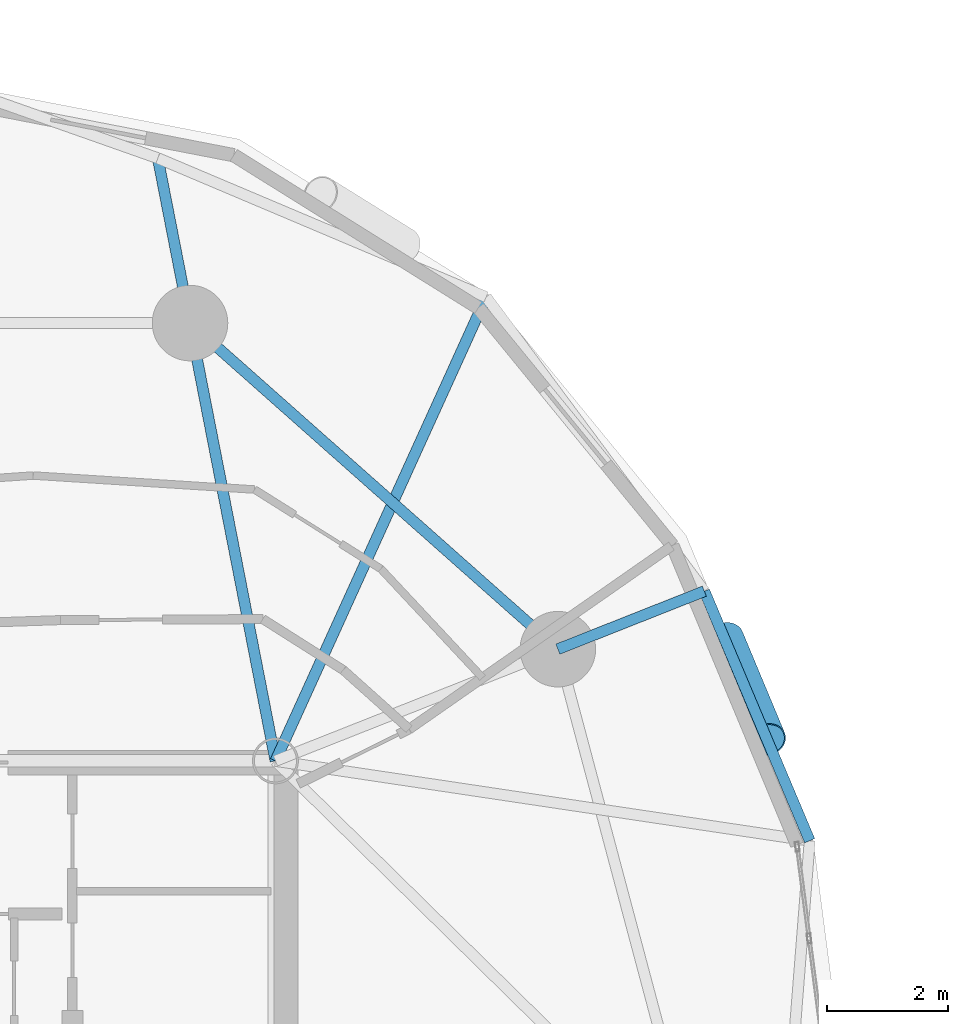
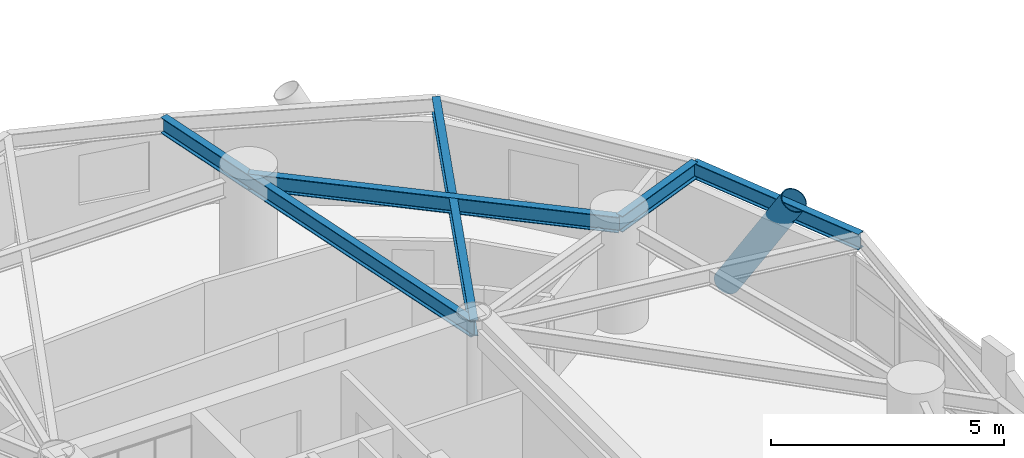
# One storey, part 3 of 17: 5 beams, 1 member.
"""IFC4 building model written with IfcOpenShell, lengths in metres."""

import ifcopenshell
import ifcopenshell.guid

model = None  # the IFC model being written
_history = None  # IfcOwnerHistory: only IFC2X3 demands one
_inside = {}  # id of a spatial element -> (the spatial element, [elements in it])
_under = {}  # id of a project, library or spatial element -> (it, [spatial elements below it])
_declared = {}  # id of a project -> (the project, [libraries it declares])
_typed = {}  # id of a type object -> (the type object, [elements of that type])
_made_of = {}  # id of a material, layer set ... -> (it, [elements and type objects made of it])


def new_model(schema):
    """Start an empty IFC model of exactly this schema.

    Asked for "IFC4X3", IfcOpenShell would pick the latest addendum, in which some entities
    have other attributes; the version numbers below select the first issue.
    IFC2X3 requires an IfcOwnerHistory on every rooted entity: one is made here for all.
    """
    global model, _history
    if schema == "IFC4X3":
        model = ifcopenshell.file(schema_version=(4, 3, 0, 0))
    else:
        model = ifcopenshell.file(schema=schema)
    _inside.clear()
    _under.clear()
    _declared.clear()
    _typed.clear()
    _made_of.clear()
    _history = None
    if model.schema == "IFC2X3":
        org = make("IfcOrganization", Name="unknown")
        user = make(
            "IfcPersonAndOrganization",
            ThePerson=make("IfcPerson", FamilyName="unknown"),
            TheOrganization=org,
        )
        app = make(
            "IfcApplication",
            ApplicationDeveloper=org,
            Version="unknown",
            ApplicationFullName="unknown",
            ApplicationIdentifier="unknown",
        )
        _history = make(
            "IfcOwnerHistory",
            OwningUser=user,
            OwningApplication=app,
            ChangeAction="ADDED",
            CreationDate=0,
        )
    return model


def make(cls, **values):
    """One entity of the class cls with the attributes given. An attribute that is None is left unset."""
    return model.create_entity(
        cls, **{name: value for name, value in values.items() if value is not None}
    )


def rooted(cls, **values):
    """An entity with a GlobalId (a new one), such as an element, a storey or a relation."""
    return make(cls, GlobalId=ifcopenshell.guid.new(), OwnerHistory=_history, **values)


def si_unit(unit_type, name, prefix=None):
    """IfcSIUnit, for example si_unit("LENGTHUNIT", "METRE", prefix="MILLI")."""
    return make("IfcSIUnit", UnitType=unit_type, Prefix=prefix, Name=name)


def assignment(units):
    """IfcUnitAssignment: the units of a project."""
    return None if units is None else make("IfcUnitAssignment", Units=units)


def point(xyz):
    """IfcCartesianPoint."""
    return None if xyz is None else make("IfcCartesianPoint", Coordinates=xyz)


def direction(xyz):
    """IfcDirection."""
    return None if xyz is None else make("IfcDirection", DirectionRatios=xyz)


def frame(location, z_axis=None, x_axis=None):
    """IfcAxis2Placement3D, a coordinate frame: its origin and axes. An axis left out is left unset."""
    return make(
        "IfcAxis2Placement3D",
        Location=point(location),
        Axis=direction(z_axis),
        RefDirection=direction(x_axis),
    )


def frame_2d(location, x_axis=None):
    """IfcAxis2Placement2D, a coordinate frame in the plane: its origin and x axis."""
    return make(
        "IfcAxis2Placement2D", Location=point(location), RefDirection=direction(x_axis)
    )


def origin():
    """The frame at (0, 0, 0) with its axes left unset."""
    return frame((0.0, 0.0, 0.0))


def origin_2d():
    """The frame at (0, 0) in the plane with its x axis left unset."""
    return frame_2d((0.0, 0.0))


def place(relative_to, where):
    """IfcLocalPlacement: puts the frame where relative to a parent placement (None: the world)."""
    return make(
        "IfcLocalPlacement", PlacementRelTo=relative_to, RelativePlacement=where
    )


def context(
    kind, dimensions, precision=None, world=None, true_north=None, identifier=None
):
    """IfcGeometricRepresentationContext, for example the 3D "Model" context."""
    return make(
        "IfcGeometricRepresentationContext",
        ContextIdentifier=identifier,
        ContextType=kind,
        CoordinateSpaceDimension=dimensions,
        Precision=precision,
        WorldCoordinateSystem=world,
        TrueNorth=true_north,
    )


def subcontext(parent, identifier, kind, view, scale=None):
    """IfcGeometricRepresentationSubContext, for example "Body" below "Model"."""
    return make(
        "IfcGeometricRepresentationSubContext",
        ContextIdentifier=identifier,
        ContextType=kind,
        ParentContext=parent,
        TargetScale=scale,
        TargetView=view,
    )


def project(units=None, contexts=None):
    """IfcProject with its units and contexts."""
    return rooted(
        "IfcProject",
        Name="project",
        RepresentationContexts=contexts,
        UnitsInContext=assignment(units),
    )


def spatial(cls, under=None, at=None, **own):
    """A site, building, storey or space (cls), placed at a placement, below another one or the project."""
    s = rooted(cls, ObjectPlacement=at, **own)
    if under is not None:
        _under.setdefault(under.id(), (under, []))[1].append(s)
    return s


def profile(cls, at=None, kind="AREA", **sizes):
    """A parametric profile (cls). Its sizes go by their IFC names, for example OverallWidth=200.0."""
    return make(cls, ProfileType=kind, Position=at, **sizes)


def hollow_circle(**sizes):
    """IfcCircleHollowProfileDef."""
    return profile("IfcCircleHollowProfileDef", **sizes)


def i_section(**sizes):
    """IfcIShapeProfileDef."""
    return profile("IfcIShapeProfileDef", **sizes)


def extrude(swept, where, along, depth):
    """IfcExtrudedAreaSolid: the profile swept, set in the frame where, extruded along a direction by depth."""
    return make(
        "IfcExtrudedAreaSolid",
        SweptArea=swept,
        Position=where,
        ExtrudedDirection=direction(along),
        Depth=depth,
    )


def shape(context_of_items, identifier, shape_type, items):
    """IfcShapeRepresentation: the items that make up one representation, for example the "Body"."""
    return make(
        "IfcShapeRepresentation",
        ContextOfItems=context_of_items,
        RepresentationIdentifier=identifier,
        RepresentationType=shape_type,
        Items=items,
    )


def material(Name=None, Category=None):
    """IfcMaterial."""
    return make("IfcMaterial", Name=Name, Category=Category)


def material_profile(
    of_material, cross_section, Name=None, Category=None, Priority=None
):
    """IfcMaterialProfile: a cross section and its material."""
    return make(
        "IfcMaterialProfile",
        Name=Name,
        Material=of_material,
        Profile=cross_section,
        Priority=Priority,
        Category=Category,
    )


def profile_set(profiles, Name=None, composite=None):
    """IfcMaterialProfileSet."""
    return make(
        "IfcMaterialProfileSet",
        Name=Name,
        MaterialProfiles=profiles,
        CompositeProfile=composite,
    )


def made_of(thing, what):
    """Note that an element or type object is made of a material, layer set ...; save() writes the relation."""
    if what is not None:
        _made_of.setdefault(what.id(), (what, []))[1].append(thing)
    return thing


def type_object(cls, material=None, **own):
    """A type object (cls), such as IfcWallType, which elements share."""
    return made_of(rooted(cls, **own), material)


def element(
    cls,
    number,
    at=None,
    inside=None,
    cuts=None,
    type_object=None,
    material=None,
    context=None,
    identifier="Body",
    shape_type=None,
    held_by="IfcProductDefinitionShape",
    body=None,
    shapes=None,
    **own,
):
    """One element of the class cls, such as IfcWall. Its Tag is "e" and its number.

    at: its placement. inside: the storey or other place that contains it. cuts: it is an
    opening in that element (IfcRelVoidsElement). A single representation is given by context,
    identifier, shape_type and body (its items); several are given by shapes. held_by: the class
    of the entity that holds the representations. save() writes the other relations.
    """
    e = rooted(cls, Tag="e%d" % number, ObjectPlacement=at, **own)
    if body is not None:
        shapes = [shape(context, identifier, shape_type, body)]
    if shapes is not None:
        e.Representation = make(held_by, Representations=shapes)
    if inside is not None:
        _inside.setdefault(inside.id(), (inside, []))[1].append(e)
    if cuts is not None:
        rooted(
            "IfcRelVoidsElement", RelatingBuildingElement=cuts, RelatedOpeningElement=e
        )
    if type_object is not None:
        _typed.setdefault(type_object.id(), (type_object, []))[1].append(e)
    return made_of(e, material)


def aggregate(whole, parts):
    """IfcRelAggregates: a whole, such as a stair, and the parts it consists of."""
    return rooted("IfcRelAggregates", RelatingObject=whole, RelatedObjects=parts)


def save(model, path):
    """Write the relations noted so far, then the file.

    IfcRelAggregates (storeys below a building ...), IfcRelContainedInSpatialStructure (elements
    in a storey), IfcRelDefinesByType, IfcRelAssociatesMaterial and IfcRelDeclares: one each for
    every whole, place, type object, material and project.
    """
    for whole, parts in _under.values():
        aggregate(whole, parts)
    for where, things in _inside.values():
        rooted(
            "IfcRelContainedInSpatialStructure",
            RelatedElements=things,
            RelatingStructure=where,
        )
    for kind, things in _typed.values():
        rooted("IfcRelDefinesByType", RelatedObjects=things, RelatingType=kind)
    for what, things in _made_of.values():
        rooted("IfcRelAssociatesMaterial", RelatedObjects=things, RelatingMaterial=what)
    for by, libraries in _declared.values():
        rooted("IfcRelDeclares", RelatingContext=by, RelatedDefinitions=libraries)
    model.write(path)


model = new_model("IFC4")

# Units and contexts
model_context = context("Model", 3, precision=1e-05, world=origin(), true_north=direction((0.0, 1.0)))
body_context = subcontext(model_context, "Body", "Model", "MODEL_VIEW")
ifc_project = project(units=[si_unit("LENGTHUNIT", "METRE"), si_unit("AREAUNIT", "SQUARE_METRE"), si_unit("VOLUMEUNIT", "CUBIC_METRE"), si_unit("PLANEANGLEUNIT", "RADIAN"), si_unit("MASSUNIT", "GRAM", prefix="KILO")], contexts=[model_context])

# Site, building, storey
site_placement = place(None, origin())
site = spatial("IfcSite", under=ifc_project, at=site_placement, CompositionType="ELEMENT")
building_placement = place(site_placement, origin())
building = spatial("IfcBuilding", under=site, at=building_placement, Name="Cununo Teusaquillo Station Towers", CompositionType="ELEMENT")
storey_placement = place(building_placement, frame((0.0, 0.0, 163.239990234375)))
storey = spatial("IfcBuildingStorey", under=building, at=storey_placement, Name="L51", CompositionType="ELEMENT", Elevation=163.239990234375)

# Beams
ifc_material_1 = material(Name="Steel ASTM A572 Grade 50", Category="steel")
ifc_material_profile_1 = material_profile(ifc_material_1, i_section(OverallWidth=0.180908203125, OverallDepth=0.4169921875, WebThickness=0.010986328125, FlangeThickness=0.018310546875, FilletRadius=0.012939453125, at=origin_2d()), Name="W16X57")
ifc_profile_set_1 = profile_set([ifc_material_profile_1], Name="Steel ASTM A572 Grade 50")
beam_type_1 = type_object("IfcBeamType", Name="BM-JOIST-1", PredefinedType="JOIST", material=ifc_profile_set_1)
beam_1_placement = place(storey_placement, frame((21.675048828125, 31.3798828125, 2.4814453125), z_axis=(0.413558514621, 0.910477542274, 0.0), x_axis=(-0.910477542274, 0.413558514621, 0.0)))
element("IfcBeam", 1, at=beam_1_placement, inside=storey, type_object=beam_type_1, Name="L51 Tower A Radial Spandrel Joist V03", PredefinedType="JOIST", context=body_context, shape_type="SweptSolid", body=[
    extrude(i_section(OverallWidth=0.180908203125, OverallDepth=0.4169921875, WebThickness=0.010986328125, FlangeThickness=0.018310546875, FilletRadius=0.012939453125, at=origin_2d()), origin(), (0.0, 0.0, 1.0), 8.428955078125),
])
ifc_material_2 = material(Name="Steel ASTM A572 Grade 50", Category="steel")
ifc_material_profile_2 = material_profile(ifc_material_2, i_section(OverallWidth=0.180908203125, OverallDepth=0.4169921875, WebThickness=0.010986328125, FlangeThickness=0.018310546875, FilletRadius=0.012939453125, at=origin_2d()), Name="W16X57")
ifc_profile_set_2 = profile_set([ifc_material_profile_2], Name="Steel ASTM A572 Grade 50")
beam_type_2 = type_object("IfcBeamType", Name="BM-RAD-G2", PredefinedType="BEAM", material=ifc_profile_set_2)
beam_2_placement = place(storey_placement, frame((26.347412109375, 33.228515625, 2.4814453125), z_axis=(0.929858677495, 0.367916892636, 0.0), x_axis=(-0.367916892636, 0.929858677495, 0.0)))
element("IfcBeam", 2, at=beam_2_placement, inside=storey, type_object=beam_type_2, Name="L51 Tower A Perimeter Overhang Girder 02B", PredefinedType="BEAM", context=body_context, shape_type="SweptSolid", body=[
    extrude(i_section(OverallWidth=0.180908203125, OverallDepth=0.4169921875, WebThickness=0.010986328125, FlangeThickness=0.018310546875, FilletRadius=0.012939453125, at=origin_2d()), origin(), (0.0, 0.0, 1.0), 2.607177734375),
])
beam_3_placement = place(storey_placement, frame((21.675048828125, 31.3798828125, 2.4814453125), z_axis=(-0.191552706487, 0.981482328235, 0.0), x_axis=(-0.981482328235, -0.191552706487, 0.0)))
element("IfcBeam", 3, at=beam_3_placement, inside=storey, type_object=beam_type_2, Name="L51 Tower A Continuous Overhanging Radial Girder 03", PredefinedType="BEAM", context=body_context, shape_type="SweptSolid", body=[
    extrude(i_section(OverallWidth=0.180908203125, OverallDepth=0.4169921875, WebThickness=0.010986328125, FlangeThickness=0.018310546875, FilletRadius=0.012939453125, at=origin_2d()), origin(), (0.0, 0.0, 1.0), 10.159423828125),
])
ifc_material_3 = material(Name="Steel ASTM A572 Grade 50", Category="steel")
ifc_material_profile_3 = material_profile(ifc_material_3, i_section(OverallWidth=0.180908203125, OverallDepth=0.4169921875, WebThickness=0.010986328125, FlangeThickness=0.018310546875, FilletRadius=0.012939453125, at=origin_2d()), Name="W16X57")
ifc_profile_set_3 = profile_set([ifc_material_profile_3], Name="Steel ASTM A572 Grade 50")
beam_type_3 = type_object("IfcBeamType", Name="BM-RING-Z3", PredefinedType="SPANDREL", material=ifc_profile_set_3)
beam_4_placement = place(storey_placement, frame((26.347412109375, 33.228515625, 2.4814453125), z_axis=(-0.74832120039, 0.66333655187, 0.0), x_axis=(-0.66333655187, -0.74832120039, 0.0)))
element("IfcBeam", 4, at=beam_4_placement, inside=storey, type_object=beam_type_3, Name="L51 Tower A Structural Column Ring Girder 02", PredefinedType="SPANDREL", context=body_context, shape_type="SweptSolid", body=[
    extrude(i_section(OverallWidth=0.180908203125, OverallDepth=0.4169921875, WebThickness=0.010986328125, FlangeThickness=0.018310546875, FilletRadius=0.012939453125, at=origin_2d()), origin(), (0.0, 0.0, 1.0), 8.1328125),
])
beam_5_placement = place(storey_placement, frame((30.513916015625, 30.05908203125, 2.4814453125), z_axis=(-0.388777827816, 0.921331536744, 0.0), x_axis=(-0.921331536744, -0.388777827816, 0.0)))
element("IfcBeam", 5, at=beam_5_placement, inside=storey, type_object=beam_type_3, Name="L51 Tower A Spandrel Ring Beam 02", PredefinedType="SPANDREL", context=body_context, shape_type="SweptSolid", body=[
    extrude(i_section(OverallWidth=0.180908203125, OverallDepth=0.4169921875, WebThickness=0.010986328125, FlangeThickness=0.018310546875, FilletRadius=0.012939453125, at=origin_2d()), origin(), (0.0, 0.0, 1.0), 4.481201171875),
])

# Member
ifc_material_4 = material(Name="Steel EN 10025-2 S355J2", Category="steel")
ifc_material_profile_4 = material_profile(ifc_material_4, hollow_circle(Radius=0.304931640625, WallThickness=0.02001953125, at=origin_2d()), Name="CHS 610x20")
ifc_profile_set_4 = profile_set([ifc_material_profile_4], Name="Steel EN 10025-2 S355J2")
member_type = type_object("IfcMemberType", Name="MBR-DIAG-Z3", PredefinedType="BRACE", material=ifc_profile_set_4)
member_placement = place(storey_placement, frame((29.118408203125, 33.402587890625, -0.139892578125), z_axis=(0.203566141357, -0.487689772523, 0.848952007989), x_axis=(0.922833497828, 0.385199085262, 0.0)))
element("IfcMember", 6, at=member_placement, inside=storey, type_object=member_type, Name="L51 Tower A Folded-Zigzag Diagrid Tube C01", PredefinedType="BRACE", context=body_context, shape_type="SweptSolid", body=[
    extrude(hollow_circle(Radius=0.304931640625, WallThickness=0.02001953125, at=origin_2d()), origin(), (0.0, 0.0, 1.0), 3.427734375),
])

save(model, "model.ifc")
